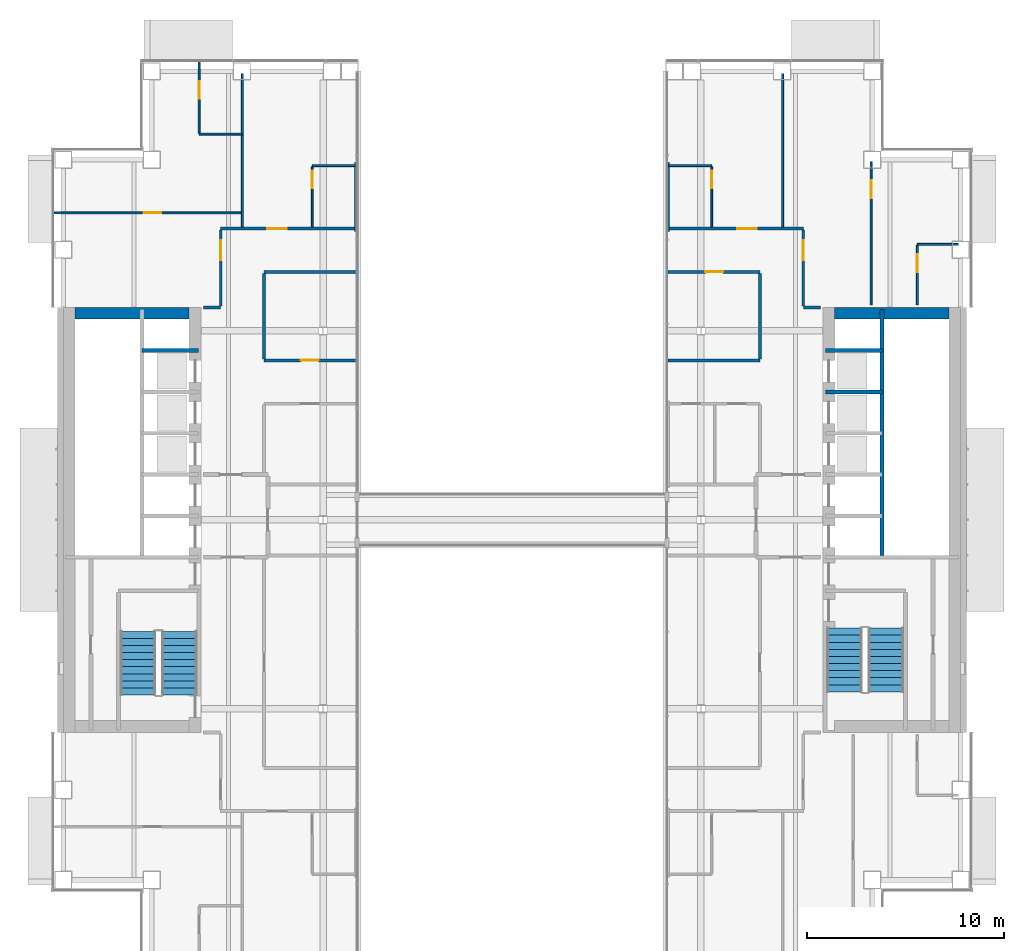
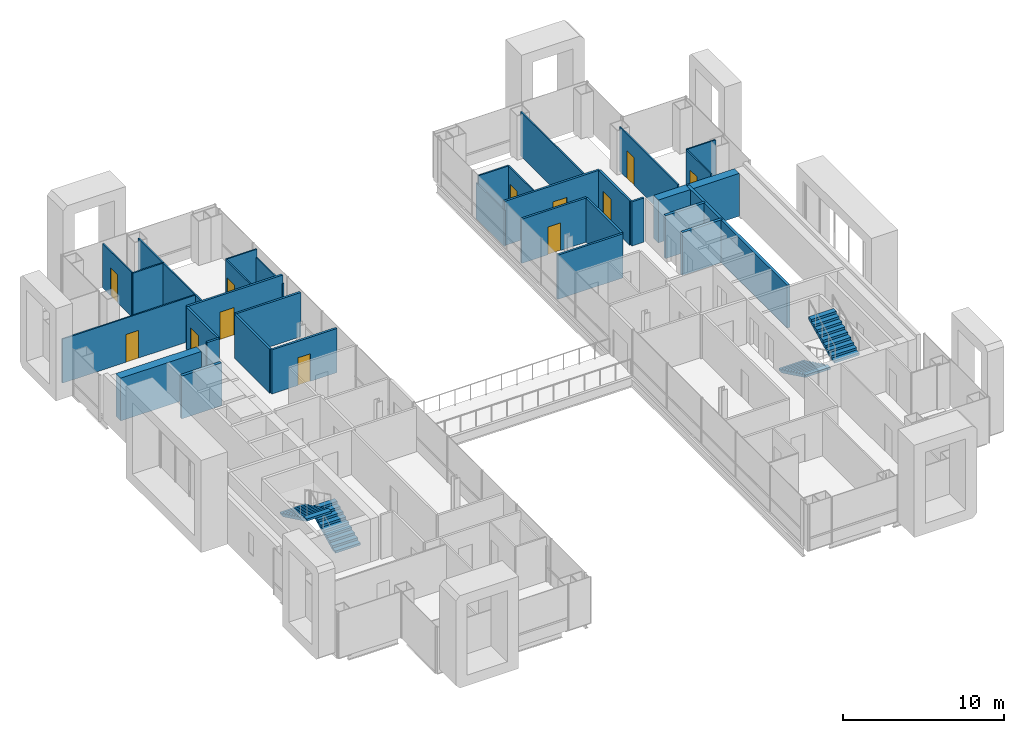
# One storey, part 14 of 20: 32 walls, 12 doors, 4 stair flights, 12 openings, 2 elements without a shape of their own.
"""IFC4 building model written with IfcOpenShell, lengths in metres."""

from ifc_helpers import new_model, si_unit, direction, frame, frame_2d, origin, place, context, subcontext, project, spatial, polyline, rectangle, outline, extrude, material, layer, layer_set, type_object, element, fill, aggregate, save


model = new_model("IFC4")

# Units and contexts
model_context = context("Model", 3, precision=1e-05, world=origin(), true_north=direction((0.0, 1.0)))
body_context = subcontext(model_context, "Body", "Model", "MODEL_VIEW")
ifc_project = project(units=[si_unit("LENGTHUNIT", "METRE"), si_unit("AREAUNIT", "SQUARE_METRE"), si_unit("VOLUMEUNIT", "CUBIC_METRE"), si_unit("PLANEANGLEUNIT", "RADIAN"), si_unit("MASSUNIT", "GRAM", prefix="KILO")], contexts=[model_context])

# Site, building, storey
site_placement = place(None, origin())
site = spatial("IfcSite", under=ifc_project, at=site_placement, CompositionType="ELEMENT")
building_placement = place(site_placement, origin())
building = spatial("IfcBuilding", under=site, at=building_placement, Name="Cobrizo Arcos Hotel Tower", CompositionType="ELEMENT")
storey_placement = place(building_placement, frame((0.0, 0.0, 124.0)))
storey = spatial("IfcBuildingStorey", under=building, at=storey_placement, Name="L31", CompositionType="ELEMENT", Elevation=124.0)

# Wall, opening, door
ifc_material_1 = material(Name="Gypsum board partition")
ifc_layer_1 = layer(ifc_material_1, 0.14990234375)
ifc_layer_set_1 = layer_set([ifc_layer_1], Name="Corridor wall EI 60 150")
wall_type_1 = type_object("IfcWallType", Name="Corridor wall EI 60 150", PredefinedType="PARTITIONING", material=ifc_layer_set_1)
wall_1_placement = place(storey_placement, frame((-12.60009765625, 8.10009765625, 0.0), z_axis=(0.0, 0.0, 1.0), x_axis=(1.0, 0.0, 0.0)))
wall_1 = element("IfcWall", 1, at=wall_1_placement, inside=storey, type_object=wall_type_1, Name="Partition 034", PredefinedType="PARTITIONING", context=body_context, shape_type="SweptSolid", body=[
    extrude(rectangle(XDim=4.68017578125, YDim=0.14990234375, at=frame_2d((2.340087890625, 0.0))), origin(), (0.0, 0.0, 1.0), 3.35009765625),
])
opening_1_placement = place(wall_1_placement, frame((1.875, 0.0, 0.0)))
opening_1 = element("IfcOpeningElement", 2, at=opening_1_placement, cuts=wall_1, Name="Opening RD-08", PredefinedType="OPENING", context=body_context, shape_type="SweptSolid", body=[
    extrude(rectangle(XDim=0.89990234375, YDim=2.10009765625, at=frame_2d((0.449951171875, 1.050048828125))), frame((0.0, 0.0869140625, 0.0), z_axis=(0.0, -1.0, 0.0), x_axis=(1.0, 0.0, 0.0)), (0.0, 0.0, 1.0), 0.173828125),
])
ifc_material_2 = material(Name="Timber door leaf", Category="wood")
door_type_1 = type_object("IfcDoorType", Name="Room door FD30 900x2100", OperationType="SINGLE_SWING_LEFT", PredefinedType="DOOR", material=ifc_material_2)
door_1_placement = place(opening_1_placement, origin())
door_1 = element("IfcDoor", 3, at=door_1_placement, inside=storey, type_object=door_type_1, Name="Door RD-08", OperationType="SINGLE_SWING_RIGHT", OverallHeight=2.10009765625, OverallWidth=0.89990234375, PredefinedType="DOOR", context=body_context, shape_type="SweptSolid", body=[
    extrude(rectangle(XDim=0.89990234375, YDim=2.10009765625, at=frame_2d((0.449951171875, 1.050048828125))), frame((0.0, 0.02490234375, 0.0), z_axis=(0.0, -1.0, 0.0), x_axis=(1.0, 0.0, 0.0)), (0.0, 0.0, 1.0), 0.050048828125),
])
fill(opening_1, door_1)

# Walls
wall_2_placement = place(storey_placement, frame((7.919921875, 8.10009765625, 0.0), z_axis=(0.0, 0.0, 1.0), x_axis=(1.0, 0.0, 0.0)))
element("IfcWall", 4, at=wall_2_placement, inside=storey, type_object=wall_type_1, Name="Partition 035", PredefinedType="PARTITIONING", context=body_context, shape_type="SweptSolid", body=[
    extrude(rectangle(XDim=4.68017578125, YDim=0.14990234375, at=frame_2d((2.340087890625, 0.0))), origin(), (0.0, 0.0, 1.0), 3.35009765625),
])
for number, where, z_axis, x_axis, name in (
    (5, (-15.679931640625, 10.800048828125, 0.0), (0.0, 0.0, 1.0), (1.0, 0.0, 0.0), "Partition 038"),
    (6, (14.800048828125, 10.800048828125, 0.0), (0.0, 0.0, 1.0), (1.0, 0.0, 0.0), "Partition 039"),
):
    element("IfcWall", number, at=place(storey_placement, frame(where, z_axis=z_axis, x_axis=x_axis)), inside=storey, type_object=wall_type_1, Name=name, PredefinedType="PARTITIONING", context=body_context, shape_type="SweptSolid", body=[
        extrude(rectangle(XDim=0.8798828125, YDim=0.14990234375, at=frame_2d((0.43994140625, 0.0))), origin(), (0.0, 0.0, 1.0), 3.35009765625),
    ])
wall_3_placement = place(storey_placement, frame((-12.60009765625, 12.60009765625, 0.0), z_axis=(0.0, 0.0, 1.0), x_axis=(1.0, 0.0, 0.0)))
element("IfcWall", 7, at=wall_3_placement, inside=storey, type_object=wall_type_1, Name="Partition 040", PredefinedType="PARTITIONING", context=body_context, shape_type="SweptSolid", body=[
    extrude(rectangle(XDim=4.68017578125, YDim=0.14990234375, at=frame_2d((2.340087890625, 0.0))), origin(), (0.0, 0.0, 1.0), 3.35009765625),
])

# Wall, opening, door
wall_4_placement = place(storey_placement, frame((7.919921875, 12.60009765625, 0.0), z_axis=(0.0, 0.0, 1.0), x_axis=(1.0, 0.0, 0.0)))
wall_4 = element("IfcWall", 8, at=wall_4_placement, inside=storey, type_object=wall_type_1, Name="Partition 041", PredefinedType="PARTITIONING", context=body_context, shape_type="SweptSolid", body=[
    extrude(rectangle(XDim=4.68017578125, YDim=0.14990234375, at=frame_2d((2.340087890625, 0.0))), origin(), (0.0, 0.0, 1.0), 3.35009765625),
])
opening_2_placement = place(wall_4_placement, frame((1.905029296875, 0.0, 0.0)))
opening_2 = element("IfcOpeningElement", 9, at=opening_2_placement, cuts=wall_4, Name="Opening RD-07", PredefinedType="OPENING", context=body_context, shape_type="SweptSolid", body=[
    extrude(rectangle(XDim=0.89990234375, YDim=2.10009765625, at=frame_2d((0.449951171875, 1.050048828125))), frame((0.0, 0.0869140625, 0.0), z_axis=(0.0, -1.0, 0.0), x_axis=(1.0, 0.0, 0.0)), (0.0, 0.0, 1.0), 0.173828125),
])
door_2_placement = place(opening_2_placement, origin())
door_2 = element("IfcDoor", 10, at=door_2_placement, inside=storey, type_object=door_type_1, Name="Door RD-07", OperationType="SINGLE_SWING_RIGHT", OverallHeight=2.10009765625, OverallWidth=0.89990234375, PredefinedType="DOOR", context=body_context, shape_type="SweptSolid", body=[
    extrude(rectangle(XDim=0.89990234375, YDim=2.10009765625, at=frame_2d((0.449951171875, 1.050048828125))), frame((0.0, 0.02490234375, 0.0), z_axis=(0.0, -1.0, 0.0), x_axis=(1.0, 0.0, 0.0)), (0.0, 0.0, 1.0), 0.050048828125),
])
fill(opening_2, door_2)

wall_5_placement = place(storey_placement, frame((-14.800048828125, 14.800048828125, 0.0), z_axis=(0.0, 0.0, 1.0), x_axis=(1.0, 0.0, 0.0)))
wall_5 = element("IfcWall", 11, at=wall_5_placement, inside=storey, type_object=wall_type_1, Name="Partition 043", PredefinedType="PARTITIONING", context=body_context, shape_type="SweptSolid", body=[
    extrude(rectangle(XDim=6.85009765625, YDim=0.14990234375, at=frame_2d((3.425048828125, 0.0))), origin(), (0.0, 0.0, 1.0), 3.35009765625),
])
opening_3_placement = place(wall_5_placement, frame((2.363037109375, 0.0, 0.0)))
opening_3 = element("IfcOpeningElement", 12, at=opening_3_placement, cuts=wall_5, Name="Opening GD-02", PredefinedType="OPENING", context=body_context, shape_type="SweptSolid", body=[
    extrude(rectangle(XDim=1.0, YDim=2.10009765625, at=frame_2d((0.5, 1.050048828125))), frame((0.0, 0.0869140625, 0.0), z_axis=(0.0, -1.0, 0.0), x_axis=(1.0, 0.0, 0.0)), (0.0, 0.0, 1.0), 0.173828125),
])
door_type_2 = type_object("IfcDoorType", Name="Guest room door FD30S 1000x2100", OperationType="SINGLE_SWING_LEFT", PredefinedType="DOOR", material=ifc_material_2)
door_3_placement = place(opening_3_placement, origin())
door_3 = element("IfcDoor", 13, at=door_3_placement, inside=storey, type_object=door_type_2, Name="Door GD-02", OperationType="SINGLE_SWING_RIGHT", OverallHeight=2.10009765625, OverallWidth=1.0, PredefinedType="DOOR", context=body_context, shape_type="SweptSolid", body=[
    extrude(rectangle(XDim=1.0, YDim=2.10009765625, at=frame_2d((0.5, 1.050048828125))), frame((0.0, 0.02490234375, 0.0), z_axis=(0.0, -1.0, 0.0), x_axis=(1.0, 0.0, 0.0)), (0.0, 0.0, 1.0), 0.050048828125),
])
fill(opening_3, door_3)

wall_6_placement = place(storey_placement, frame((7.949951171875, 14.800048828125, 0.0), z_axis=(0.0, 0.0, 1.0), x_axis=(1.0, 0.0, 0.0)))
wall_6 = element("IfcWall", 14, at=wall_6_placement, inside=storey, type_object=wall_type_1, Name="Partition 044", PredefinedType="PARTITIONING", context=body_context, shape_type="SweptSolid", body=[
    extrude(rectangle(XDim=6.85009765625, YDim=0.14990234375, at=frame_2d((3.425048828125, 0.0))), origin(), (0.0, 0.0, 1.0), 3.35009765625),
])
opening_4_placement = place(wall_6_placement, frame((3.487060546875, 0.0, 0.0)))
opening_4 = element("IfcOpeningElement", 15, at=opening_4_placement, cuts=wall_6, Name="Opening GD-01", PredefinedType="OPENING", context=body_context, shape_type="SweptSolid", body=[
    extrude(rectangle(XDim=1.0, YDim=2.10009765625, at=frame_2d((0.5, 1.050048828125))), frame((0.0, 0.0869140625, 0.0), z_axis=(0.0, -1.0, 0.0), x_axis=(1.0, 0.0, 0.0)), (0.0, 0.0, 1.0), 0.173828125),
])
door_4_placement = place(opening_4_placement, origin())
door_4 = element("IfcDoor", 16, at=door_4_placement, inside=storey, type_object=door_type_2, Name="Door GD-01", OperationType="SINGLE_SWING_RIGHT", OverallHeight=2.10009765625, OverallWidth=1.0, PredefinedType="DOOR", context=body_context, shape_type="SweptSolid", body=[
    extrude(rectangle(XDim=1.0, YDim=2.10009765625, at=frame_2d((0.5, 1.050048828125))), frame((0.0, 0.02490234375, 0.0), z_axis=(0.0, -1.0, 0.0), x_axis=(1.0, 0.0, 0.0)), (0.0, 0.0, 1.0), 0.050048828125),
])
fill(opening_4, door_4)

wall_7_placement = place(storey_placement, frame((-14.800048828125, 10.875, 0.0), z_axis=(0.0, 0.0, 1.0), x_axis=(0.0, 1.0, 0.0)))
wall_7 = element("IfcWall", 17, at=wall_7_placement, inside=storey, type_object=wall_type_1, Name="Partition 055", PredefinedType="PARTITIONING", context=body_context, shape_type="SweptSolid", body=[
    extrude(rectangle(XDim=3.85009765625, YDim=0.14990234375, at=frame_2d((1.925048828125, 0.0))), origin(), (0.0, 0.0, 1.0), 3.35009765625),
])
opening_5_placement = place(wall_7_placement, frame((2.324951171875, 0.0, 0.0)))
opening_5 = element("IfcOpeningElement", 18, at=opening_5_placement, cuts=wall_7, Name="Opening GD-06", PredefinedType="OPENING", context=body_context, shape_type="SweptSolid", body=[
    extrude(rectangle(XDim=1.0, YDim=2.10009765625, at=frame_2d((0.5, 1.050048828125))), frame((0.0, 0.0869140625, 0.0), z_axis=(0.0, -1.0, 0.0), x_axis=(1.0, 0.0, 0.0)), (0.0, 0.0, 1.0), 0.173828125),
])
door_5_placement = place(opening_5_placement, origin())
door_5 = element("IfcDoor", 19, at=door_5_placement, inside=storey, type_object=door_type_2, Name="Door GD-06", OperationType="SINGLE_SWING_LEFT", OverallHeight=2.10009765625, OverallWidth=1.0, PredefinedType="DOOR", context=body_context, shape_type="SweptSolid", body=[
    extrude(rectangle(XDim=1.0, YDim=2.10009765625, at=frame_2d((0.5, 1.050048828125))), frame((0.0, 0.02490234375, 0.0), z_axis=(0.0, -1.0, 0.0), x_axis=(1.0, 0.0, 0.0)), (0.0, 0.0, 1.0), 0.050048828125),
])
fill(opening_5, door_5)

# Walls
for number, where, z_axis, x_axis, name in (
    (20, (-12.60009765625, 8.175048828125, 0.0), (0.0, 0.0, 1.0), (0.0, 1.0, 0.0), "Partition 060"),
    (21, (12.60009765625, 8.175048828125, 0.0), (0.0, 0.0, 1.0), (0.0, 1.0, 0.0), "Partition 075"),
):
    element("IfcWall", number, at=place(storey_placement, frame(where, z_axis=z_axis, x_axis=x_axis)), inside=storey, type_object=wall_type_1, Name=name, PredefinedType="PARTITIONING", context=body_context, shape_type="SweptSolid", body=[
        extrude(rectangle(XDim=4.349853515625, YDim=0.14990234375, at=frame_2d((2.1748046875, 0.0))), origin(), (0.0, 0.0, 1.0), 3.35009765625),
    ])

# Wall, opening, door
wall_8_placement = place(storey_placement, frame((14.800048828125, 10.875, 0.0), z_axis=(0.0, 0.0, 1.0), x_axis=(0.0, 1.0, 0.0)))
wall_8 = element("IfcWall", 22, at=wall_8_placement, inside=storey, type_object=wall_type_1, Name="Partition 079", PredefinedType="PARTITIONING", context=body_context, shape_type="SweptSolid", body=[
    extrude(rectangle(XDim=3.85009765625, YDim=0.14990234375, at=frame_2d((1.925048828125, 0.0))), origin(), (0.0, 0.0, 1.0), 3.35009765625),
])
opening_6_placement = place(wall_8_placement, frame((2.324951171875, 0.0, 0.0)))
opening_6 = element("IfcOpeningElement", 23, at=opening_6_placement, cuts=wall_8, Name="Opening GD-08", PredefinedType="OPENING", context=body_context, shape_type="SweptSolid", body=[
    extrude(rectangle(XDim=1.0, YDim=2.10009765625, at=frame_2d((0.5, 1.050048828125))), frame((0.0, 0.0869140625, 0.0), z_axis=(0.0, -1.0, 0.0), x_axis=(1.0, 0.0, 0.0)), (0.0, 0.0, 1.0), 0.173828125),
])
door_6_placement = place(opening_6_placement, origin())
door_6 = element("IfcDoor", 24, at=door_6_placement, inside=storey, type_object=door_type_2, Name="Door GD-08", OperationType="SINGLE_SWING_RIGHT", OverallHeight=2.10009765625, OverallWidth=1.0, PredefinedType="DOOR", context=body_context, shape_type="SweptSolid", body=[
    extrude(rectangle(XDim=1.0, YDim=2.10009765625, at=frame_2d((0.5, 1.050048828125))), frame((0.0, 0.02490234375, 0.0), z_axis=(0.0, -1.0, 0.0), x_axis=(1.0, 0.0, 0.0)), (0.0, 0.0, 1.0), 0.050048828125),
])
fill(opening_6, door_6)

# Wall
ifc_layer_2 = layer(ifc_material_1, 0.10009765625)
ifc_layer_set_2 = layer_set([ifc_layer_2], Name="Partition EI 30 100")
wall_type_2 = type_object("IfcWallType", Name="Partition EI 30 100", PredefinedType="PARTITIONING", material=ifc_layer_set_2)
wall_9_placement = place(storey_placement, frame((20.60009765625, 14.0, 0.0), z_axis=(0.0, 0.0, 1.0), x_axis=(1.0, 0.0, 0.0)))
element("IfcWall", 25, at=wall_9_placement, inside=storey, type_object=wall_type_2, Name="Partition 042", PredefinedType="PARTITIONING", context=body_context, shape_type="SweptSolid", body=[
    extrude(rectangle(XDim=2.079833984375, YDim=0.10009765625, at=frame_2d((1.0400390625, 0.0))), origin(), (0.0, 0.0, 1.0), 3.35009765625),
])

# Wall, opening, door
wall_10_placement = place(storey_placement, frame((-23.280029296875, 15.60009765625, 0.0), z_axis=(0.0, 0.0, 1.0), x_axis=(1.0, 0.0, 0.0)))
wall_10 = element("IfcWall", 26, at=wall_10_placement, inside=storey, type_object=wall_type_2, Name="Partition 045", PredefinedType="PARTITIONING", context=body_context, shape_type="SweptSolid", body=[
    extrude(rectangle(XDim=9.580078125, YDim=0.10009765625, at=frame_2d((4.7900390625, 0.0))), origin(), (0.0, 0.0, 1.0), 3.35009765625),
])
opening_7_placement = place(wall_10_placement, frame((4.568115234375, 0.0, 0.0)))
opening_7 = element("IfcOpeningElement", 27, at=opening_7_placement, cuts=wall_10, Name="Opening RD-03", PredefinedType="OPENING", context=body_context, shape_type="SweptSolid", body=[
    extrude(rectangle(XDim=0.89990234375, YDim=2.10009765625, at=frame_2d((0.449951171875, 1.050048828125))), frame((0.0, 0.06201171875, 0.0), z_axis=(0.0, -1.0, 0.0), x_axis=(1.0, 0.0, 0.0)), (0.0, 0.0, 1.0), 0.1240234375),
])
door_7_placement = place(opening_7_placement, origin())
door_7 = element("IfcDoor", 28, at=door_7_placement, inside=storey, type_object=door_type_1, Name="Door RD-03", OperationType="SINGLE_SWING_RIGHT", OverallHeight=2.10009765625, OverallWidth=0.89990234375, PredefinedType="DOOR", context=body_context, shape_type="SweptSolid", body=[
    extrude(rectangle(XDim=0.89990234375, YDim=2.10009765625, at=frame_2d((0.449951171875, 1.050048828125))), frame((0.0, 0.02490234375, 0.0), z_axis=(0.0, -1.0, 0.0), x_axis=(1.0, 0.0, 0.0)), (0.0, 0.0, 1.0), 0.050048828125),
])
fill(opening_7, door_7)

# Walls
for number, where, z_axis, x_axis, name in (
    (29, (-10.14990234375, 18.0, 0.0), (0.0, 0.0, 1.0), (1.0, 0.0, 0.0), "Partition 046"),
    (30, (7.949951171875, 18.0, 0.0), (0.0, 0.0, 1.0), (1.0, 0.0, 0.0), "Partition 047"),
    (31, (-15.89990234375, 19.60009765625, 0.0), (0.0, 0.0, 1.0), (1.0, 0.0, 0.0), "Partition 048"),
):
    element("IfcWall", number, at=place(storey_placement, frame(where, z_axis=z_axis, x_axis=x_axis)), inside=storey, type_object=wall_type_2, Name=name, PredefinedType="PARTITIONING", context=body_context, shape_type="SweptSolid", body=[
        extrude(rectangle(XDim=2.199951171875, YDim=0.10009765625, at=frame_2d((1.10009765625, 0.0))), origin(), (0.0, 0.0, 1.0), 3.35009765625),
    ])

# Wall, opening, door
wall_11_placement = place(storey_placement, frame((-15.89990234375, 19.64990234375, 0.0), z_axis=(0.0, 0.0, 1.0), x_axis=(0.0, 1.0, 0.0)))
wall_11 = element("IfcWall", 32, at=wall_11_placement, inside=storey, type_object=wall_type_2, Name="Partition 053", PredefinedType="PARTITIONING", context=body_context, shape_type="SweptSolid", body=[
    extrude(rectangle(XDim=3.630126953125, YDim=0.10009765625, at=frame_2d((1.81494140625, 0.0))), origin(), (0.0, 0.0, 1.0), 3.35009765625),
])
opening_8_placement = place(wall_11_placement, frame((1.739990234375, 0.0, 0.0)))
opening_8 = element("IfcOpeningElement", 33, at=opening_8_placement, cuts=wall_11, Name="Opening ED-07", PredefinedType="OPENING", context=body_context, shape_type="SweptSolid", body=[
    extrude(rectangle(XDim=0.89990234375, YDim=2.10009765625, at=frame_2d((0.449951171875, 1.050048828125))), frame((0.0, 0.06201171875, 0.0), z_axis=(0.0, -1.0, 0.0), x_axis=(1.0, 0.0, 0.0)), (0.0, 0.0, 1.0), 0.1240234375),
])
door_type_3 = type_object("IfcDoorType", Name="En-suite door 900x2100", OperationType="SINGLE_SWING_LEFT", PredefinedType="DOOR", material=ifc_material_2)
door_8_placement = place(opening_8_placement, origin())
door_8 = element("IfcDoor", 34, at=door_8_placement, inside=storey, type_object=door_type_3, Name="Door ED-07", OperationType="SINGLE_SWING_RIGHT", OverallHeight=2.10009765625, OverallWidth=0.89990234375, PredefinedType="DOOR", context=body_context, shape_type="SweptSolid", body=[
    extrude(rectangle(XDim=0.89990234375, YDim=2.10009765625, at=frame_2d((0.449951171875, 1.050048828125))), frame((0.0, 0.02490234375, 0.0), z_axis=(0.0, -1.0, 0.0), x_axis=(1.0, 0.0, 0.0)), (0.0, 0.0, 1.0), 0.050048828125),
])
fill(opening_8, door_8)

# Wall
wall_12_placement = place(storey_placement, frame((-13.699951171875, 14.875, 0.0), z_axis=(0.0, 0.0, 1.0), x_axis=(0.0, 1.0, 0.0)))
element("IfcWall", 35, at=wall_12_placement, inside=storey, type_object=wall_type_2, Name="Partition 057", PredefinedType="PARTITIONING", context=body_context, shape_type="SweptSolid", body=[
    extrude(rectangle(XDim=7.804931640625, YDim=0.10009765625, at=frame_2d((3.90234375, 0.0))), origin(), (0.0, 0.0, 1.0), 3.35009765625),
])

# Wall, opening, door
wall_13_placement = place(storey_placement, frame((-10.14990234375, 14.875, 0.0), z_axis=(0.0, 0.0, 1.0), x_axis=(0.0, 1.0, 0.0)))
wall_13 = element("IfcWall", 36, at=wall_13_placement, inside=storey, type_object=wall_type_2, Name="Partition 063", PredefinedType="PARTITIONING", context=body_context, shape_type="SweptSolid", body=[
    extrude(rectangle(XDim=3.074951171875, YDim=0.10009765625, at=frame_2d((1.53759765625, 0.0))), origin(), (0.0, 0.0, 1.0), 3.35009765625),
])
opening_9_placement = place(wall_13_placement, frame((1.970947265625, 0.0, 0.0)))
opening_9 = element("IfcOpeningElement", 37, at=opening_9_placement, cuts=wall_13, Name="Opening ED-03", PredefinedType="OPENING", context=body_context, shape_type="SweptSolid", body=[
    extrude(rectangle(XDim=0.89990234375, YDim=2.10009765625, at=frame_2d((0.449951171875, 1.050048828125))), frame((0.0, 0.06201171875, 0.0), z_axis=(0.0, -1.0, 0.0), x_axis=(1.0, 0.0, 0.0)), (0.0, 0.0, 1.0), 0.1240234375),
])
door_9_placement = place(opening_9_placement, origin())
door_9 = element("IfcDoor", 38, at=door_9_placement, inside=storey, type_object=door_type_3, Name="Door ED-03", OperationType="SINGLE_SWING_LEFT", OverallHeight=2.10009765625, OverallWidth=0.89990234375, PredefinedType="DOOR", context=body_context, shape_type="SweptSolid", body=[
    extrude(rectangle(XDim=0.89990234375, YDim=2.10009765625, at=frame_2d((0.449951171875, 1.050048828125))), frame((0.0, 0.02490234375, 0.0), z_axis=(0.0, -1.0, 0.0), x_axis=(1.0, 0.0, 0.0)), (0.0, 0.0, 1.0), 0.050048828125),
])
fill(opening_9, door_9)

# Walls
for number, where, z_axis, x_axis, name in (
    (39, (-7.949951171875, 14.659912109375, 0.0), (0.0, 0.0, 1.0), (0.0, 1.0, 0.0), "Partition 065"),
    (40, (7.949951171875, 14.659912109375, 0.0), (0.0, 0.0, 1.0), (0.0, 1.0, 0.0), "Partition 068"),
):
    element("IfcWall", number, at=place(storey_placement, frame(where, z_axis=z_axis, x_axis=x_axis)), inside=storey, type_object=wall_type_2, Name=name, PredefinedType="PARTITIONING", context=body_context, shape_type="SweptSolid", body=[
        extrude(rectangle(XDim=3.47998046875, YDim=0.10009765625, at=frame_2d((1.739990234375, 0.0))), origin(), (0.0, 0.0, 1.0), 2.73291015625),
    ])

# Wall, opening, door
wall_14_placement = place(storey_placement, frame((10.14990234375, 14.875, 0.0), z_axis=(0.0, 0.0, 1.0), x_axis=(0.0, 1.0, 0.0)))
wall_14 = element("IfcWall", 41, at=wall_14_placement, inside=storey, type_object=wall_type_2, Name="Partition 070", PredefinedType="PARTITIONING", context=body_context, shape_type="SweptSolid", body=[
    extrude(rectangle(XDim=3.074951171875, YDim=0.10009765625, at=frame_2d((1.53759765625, 0.0))), origin(), (0.0, 0.0, 1.0), 3.35009765625),
])
opening_10_placement = place(wall_14_placement, frame((1.970947265625, 0.0, 0.0)))
opening_10 = element("IfcOpeningElement", 42, at=opening_10_placement, cuts=wall_14, Name="Opening ED-02", PredefinedType="OPENING", context=body_context, shape_type="SweptSolid", body=[
    extrude(rectangle(XDim=0.89990234375, YDim=2.10009765625, at=frame_2d((0.449951171875, 1.050048828125))), frame((0.0, 0.06201171875, 0.0), z_axis=(0.0, -1.0, 0.0), x_axis=(1.0, 0.0, 0.0)), (0.0, 0.0, 1.0), 0.1240234375),
])
door_10_placement = place(opening_10_placement, origin())
door_10 = element("IfcDoor", 43, at=door_10_placement, inside=storey, type_object=door_type_3, Name="Door ED-02", OperationType="SINGLE_SWING_RIGHT", OverallHeight=2.10009765625, OverallWidth=0.89990234375, PredefinedType="DOOR", context=body_context, shape_type="SweptSolid", body=[
    extrude(rectangle(XDim=0.89990234375, YDim=2.10009765625, at=frame_2d((0.449951171875, 1.050048828125))), frame((0.0, 0.02490234375, 0.0), z_axis=(0.0, -1.0, 0.0), x_axis=(1.0, 0.0, 0.0)), (0.0, 0.0, 1.0), 0.050048828125),
])
fill(opening_10, door_10)

# Wall
wall_15_placement = place(storey_placement, frame((13.75, 14.875, 0.0), z_axis=(0.0, 0.0, 1.0), x_axis=(0.0, 1.0, 0.0)))
element("IfcWall", 44, at=wall_15_placement, inside=storey, type_object=wall_type_2, Name="Partition 077", PredefinedType="PARTITIONING", context=body_context, shape_type="SweptSolid", body=[
    extrude(rectangle(XDim=7.804931640625, YDim=0.10009765625, at=frame_2d((3.90234375, 0.0))), origin(), (0.0, 0.0, 1.0), 3.35009765625),
])

# Wall, opening, door
wall_16_placement = place(storey_placement, frame((18.25, 10.919921875, 0.0), z_axis=(0.0, 0.0, 1.0), x_axis=(0.0, 1.0, 0.0)))
wall_16 = element("IfcWall", 45, at=wall_16_placement, inside=storey, type_object=wall_type_2, Name="Partition 081", PredefinedType="PARTITIONING", context=body_context, shape_type="SweptSolid", body=[
    extrude(rectangle(XDim=7.27099609375, YDim=0.10009765625, at=frame_2d((3.635498046875, 0.0))), origin(), (0.0, 0.0, 1.0), 3.35009765625),
])
opening_11_placement = place(wall_16_placement, frame((5.429931640625, 0.0, 0.0)))
opening_11 = element("IfcOpeningElement", 46, at=opening_11_placement, cuts=wall_16, Name="Opening RD-05", PredefinedType="OPENING", context=body_context, shape_type="SweptSolid", body=[
    extrude(rectangle(XDim=0.89990234375, YDim=2.10009765625, at=frame_2d((0.449951171875, 1.050048828125))), frame((0.0, 0.06201171875, 0.0), z_axis=(0.0, -1.0, 0.0), x_axis=(1.0, 0.0, 0.0)), (0.0, 0.0, 1.0), 0.1240234375),
])
door_11_placement = place(opening_11_placement, origin())
door_11 = element("IfcDoor", 47, at=door_11_placement, inside=storey, type_object=door_type_1, Name="Door RD-05", OperationType="SINGLE_SWING_LEFT", OverallHeight=2.10009765625, OverallWidth=0.89990234375, PredefinedType="DOOR", context=body_context, shape_type="SweptSolid", body=[
    extrude(rectangle(XDim=0.89990234375, YDim=2.10009765625, at=frame_2d((0.449951171875, 1.050048828125))), frame((0.0, 0.02490234375, 0.0), z_axis=(0.0, -1.0, 0.0), x_axis=(1.0, 0.0, 0.0)), (0.0, 0.0, 1.0), 0.050048828125),
])
fill(opening_11, door_11)

wall_17_placement = place(storey_placement, frame((20.60009765625, 10.919921875, 0.0), z_axis=(0.0, 0.0, 1.0), x_axis=(0.0, 1.0, 0.0)))
wall_17 = element("IfcWall", 48, at=wall_17_placement, inside=storey, type_object=wall_type_2, Name="Partition 085", PredefinedType="PARTITIONING", context=body_context, shape_type="SweptSolid", body=[
    extrude(rectangle(XDim=3.030029296875, YDim=0.10009765625, at=frame_2d((1.51513671875, 0.0))), origin(), (0.0, 0.0, 1.0), 3.35009765625),
])
opening_12_placement = place(wall_17_placement, frame((1.669921875, 0.0, 0.0)))
opening_12 = element("IfcOpeningElement", 49, at=opening_12_placement, cuts=wall_17, Name="Opening ED-09", PredefinedType="OPENING", context=body_context, shape_type="SweptSolid", body=[
    extrude(rectangle(XDim=0.89990234375, YDim=2.10009765625, at=frame_2d((0.449951171875, 1.050048828125))), frame((0.0, 0.06201171875, 0.0), z_axis=(0.0, -1.0, 0.0), x_axis=(1.0, 0.0, 0.0)), (0.0, 0.0, 1.0), 0.1240234375),
])
door_12_placement = place(opening_12_placement, origin())
door_12 = element("IfcDoor", 50, at=door_12_placement, inside=storey, type_object=door_type_3, Name="Door ED-09", OperationType="SINGLE_SWING_LEFT", OverallHeight=2.10009765625, OverallWidth=0.89990234375, PredefinedType="DOOR", context=body_context, shape_type="SweptSolid", body=[
    extrude(rectangle(XDim=0.89990234375, YDim=2.10009765625, at=frame_2d((0.449951171875, 1.050048828125))), frame((0.0, 0.02490234375, 0.0), z_axis=(0.0, -1.0, 0.0), x_axis=(1.0, 0.0, 0.0)), (0.0, 0.0, 1.0), 0.050048828125),
])
fill(opening_12, door_12)

# Walls
ifc_material_3 = material(Name="Concrete f'c 50 MPa", Category="concrete")
ifc_layer_3 = layer(ifc_material_3, 0.60009765625)
ifc_layer_set_3 = layer_set([ifc_layer_3], Name="RC core wall 600 f'c 50")
wall_type_3 = type_object("IfcWallType", Name="RC core wall 600 f'c 50", PredefinedType="SHEAR", material=ifc_layer_set_3)
for number, where, z_axis, x_axis, name in (
    (51, (16.39990234375, 10.5, 0.0), (0.0, 0.0, 1.0), (1.0, 0.0, 0.0), "Core wall CW2, east core, north end, L31"),
    (52, (-22.199951171875, 10.5, 0.0), (0.0, 0.0, 1.0), (1.0, 0.0, 0.0), "Core wall CW2, west core, north end, L31"),
):
    element("IfcWall", number, at=place(storey_placement, frame(where, z_axis=z_axis, x_axis=x_axis)), inside=storey, type_object=wall_type_3, Name=name, PredefinedType="SHEAR", context=body_context, shape_type="SweptSolid", body=[
        extrude(rectangle(XDim=5.800048828125, YDim=0.60009765625, at=frame_2d((2.89990234375, 0.0))), origin(), (0.0, 0.0, 1.0), 3.25),
    ])
ifc_layer_4 = layer(ifc_material_1, 0.199951171875)
ifc_layer_set_4 = layer_set([ifc_layer_4], Name="Shaft wall EI 120 200")
wall_type_4 = type_object("IfcWallType", Name="Shaft wall EI 120 200", PredefinedType="PARTITIONING", material=ifc_layer_set_4)
for number, where, z_axis, x_axis, name in (
    (53, (15.919921875, 6.5, 0.0), (0.0, 0.0, 1.0), (1.0, 0.0, 0.0), "Partition 033"),
    (54, (-18.800048828125, 8.60009765625, 0.0), (0.0, 0.0, 1.0), (1.0, 0.0, 0.0), "Partition 036"),
    (55, (15.919921875, 8.60009765625, 0.0), (0.0, 0.0, 1.0), (1.0, 0.0, 0.0), "Partition 037"),
):
    element("IfcWall", number, at=place(storey_placement, frame(where, z_axis=z_axis, x_axis=x_axis)), inside=storey, type_object=wall_type_4, Name=name, PredefinedType="PARTITIONING", context=body_context, shape_type="SweptSolid", body=[
        extrude(rectangle(XDim=2.880126953125, YDim=0.199951171875, at=frame_2d((1.43994140625, 0.0))), origin(), (0.0, 0.0, 1.0), 3.25),
    ])
wall_18_placement = place(storey_placement, frame((18.800048828125, -1.800048828125, 0.0), z_axis=(0.0, 0.0, 1.0), x_axis=(0.0, 1.0, 0.0)))
element("IfcWall", 56, at=wall_18_placement, inside=storey, type_object=wall_type_4, Name="Partition 082", PredefinedType="PARTITIONING", context=body_context, shape_type="SweptSolid", body=[
    extrude(rectangle(XDim=12.47998046875, YDim=0.199951171875, at=frame_2d((6.239990234375, 0.0))), origin(), (0.0, 0.0, 1.0), 3.25),
])

# Stair, stair flights
ifc_material_4 = material(Name="Concrete f'c 40 MPa", Category="concrete")
stair_type = type_object("IfcStairType", Name="Exit stair", PredefinedType="HALF_TURN_STAIR", material=ifc_material_4)
stair_1_placement = place(storey_placement, origin())
stair_1 = element("IfcStair", 57, at=stair_1_placement, inside=storey, type_object=stair_type, Name="L31 Exit stair ST-W", PredefinedType="HALF_TURN_STAIR")
stair_flight_type = type_object("IfcStairFlightType", Name="Exit stair flight", PredefinedType="STRAIGHT", material=ifc_material_4)
stair_flight_1_placement = place(storey_placement, frame((-16.89990234375, -8.89990234375, 0.0), z_axis=(0.0, 0.0, 1.0), x_axis=(0.0, 1.0, 0.0)))
stair_flight_1 = element("IfcStairFlight", 58, at=stair_flight_1_placement, type_object=stair_flight_type, Name="ST-W flight 1", NumberOfRisers=10, NumberOfTreads=9, PredefinedType="STRAIGHT", RiserHeight=0.175, TreadLength=0.36, context=body_context, shape_type="SweptSolid", body=[
    extrude(outline(polyline([(0.0, 0.0), (0.0, 0.175048828125), (0.360107421875, 0.175048828125), (0.360107421875, 0.35009765625), (0.719970703125, 0.35009765625), (0.719970703125, 0.52490234375), (1.080078125, 0.52490234375), (1.080078125, 0.699951171875), (1.43994140625, 0.699951171875), (1.43994140625, 0.875), (1.800048828125, 0.875), (1.800048828125, 1.050048828125), (2.159912109375, 1.050048828125), (2.159912109375, 1.22509765625), (2.52001953125, 1.22509765625), (2.52001953125, 1.39990234375), (2.8798828125, 1.39990234375), (2.8798828125, 1.574951171875), (3.239990234375, 1.574951171875), (3.239990234375, 1.75), (3.239990234375, 1.408203125), (0.3427734375, 0.0), (0.0, 0.0)])), frame((0.0, 0.89990234375, 0.0), z_axis=(0.0, -1.0, 0.0), x_axis=(1.0, 0.0, 0.0)), (0.0, 0.0, 1.0), 1.800048828125),
])
stair_flight_2_placement = place(storey_placement, frame((-19.0, -5.659912109375, 1.75), z_axis=(0.0, 0.0, 1.0), x_axis=(0.0, -1.0, 0.0)))
stair_flight_2 = element("IfcStairFlight", 59, at=stair_flight_2_placement, type_object=stair_flight_type, Name="ST-W flight 2", NumberOfRisers=10, NumberOfTreads=9, PredefinedType="STRAIGHT", RiserHeight=0.175, TreadLength=0.36, context=body_context, shape_type="SweptSolid", body=[
    extrude(outline(polyline([(0.0, 0.0), (0.0, 0.175048828125), (0.360107421875, 0.175048828125), (0.360107421875, 0.35009765625), (0.719970703125, 0.35009765625), (0.719970703125, 0.52490234375), (1.080078125, 0.52490234375), (1.080078125, 0.699951171875), (1.43994140625, 0.699951171875), (1.43994140625, 0.875), (1.800048828125, 0.875), (1.800048828125, 1.050048828125), (2.159912109375, 1.050048828125), (2.159912109375, 1.22509765625), (2.52001953125, 1.22509765625), (2.52001953125, 1.39990234375), (2.8798828125, 1.39990234375), (2.8798828125, 1.574951171875), (3.239990234375, 1.574951171875), (3.239990234375, 1.75), (3.239990234375, 1.408203125), (0.3427734375, 0.0), (0.0, 0.0)])), frame((0.0, 0.89990234375, 0.0), z_axis=(0.0, -1.0, 0.0), x_axis=(1.0, 0.0, 0.0)), (0.0, 0.0, 1.0), 1.800048828125),
])
aggregate(stair_1, [stair_flight_1, stair_flight_2])

stair_2_placement = place(storey_placement, origin())
stair_2 = element("IfcStair", 60, at=stair_2_placement, inside=storey, type_object=stair_type, Name="L31 Exit stair ST-E", PredefinedType="HALF_TURN_STAIR")
stair_flight_3_placement = place(storey_placement, frame((16.89990234375, -5.5, 0.0), z_axis=(0.0, 0.0, 1.0), x_axis=(0.0, -1.0, 0.0)))
stair_flight_3 = element("IfcStairFlight", 61, at=stair_flight_3_placement, type_object=stair_flight_type, Name="ST-E flight 1", NumberOfRisers=10, NumberOfTreads=9, PredefinedType="STRAIGHT", RiserHeight=0.175, TreadLength=0.36, context=body_context, shape_type="SweptSolid", body=[
    extrude(outline(polyline([(0.0, 0.0), (0.0, 0.175048828125), (0.360107421875, 0.175048828125), (0.360107421875, 0.35009765625), (0.719970703125, 0.35009765625), (0.719970703125, 0.52490234375), (1.080078125, 0.52490234375), (1.080078125, 0.699951171875), (1.43994140625, 0.699951171875), (1.43994140625, 0.875), (1.800048828125, 0.875), (1.800048828125, 1.050048828125), (2.159912109375, 1.050048828125), (2.159912109375, 1.22509765625), (2.52001953125, 1.22509765625), (2.52001953125, 1.39990234375), (2.8798828125, 1.39990234375), (2.8798828125, 1.574951171875), (3.239990234375, 1.574951171875), (3.239990234375, 1.75), (3.239990234375, 1.408203125), (0.3427734375, 0.0), (0.0, 0.0)])), frame((0.0, 0.89990234375, 0.0), z_axis=(0.0, -1.0, 0.0), x_axis=(1.0, 0.0, 0.0)), (0.0, 0.0, 1.0), 1.800048828125),
])
stair_flight_4_placement = place(storey_placement, frame((19.0, -8.739990234375, 1.75), z_axis=(0.0, 0.0, 1.0), x_axis=(0.0, 1.0, 0.0)))
stair_flight_4 = element("IfcStairFlight", 62, at=stair_flight_4_placement, type_object=stair_flight_type, Name="ST-E flight 2", NumberOfRisers=10, NumberOfTreads=9, PredefinedType="STRAIGHT", RiserHeight=0.175, TreadLength=0.36, context=body_context, shape_type="SweptSolid", body=[
    extrude(outline(polyline([(0.0, 0.0), (0.0, 0.175048828125), (0.360107421875, 0.175048828125), (0.360107421875, 0.35009765625), (0.719970703125, 0.35009765625), (0.719970703125, 0.52490234375), (1.080078125, 0.52490234375), (1.080078125, 0.699951171875), (1.43994140625, 0.699951171875), (1.43994140625, 0.875), (1.800048828125, 0.875), (1.800048828125, 1.050048828125), (2.159912109375, 1.050048828125), (2.159912109375, 1.22509765625), (2.52001953125, 1.22509765625), (2.52001953125, 1.39990234375), (2.8798828125, 1.39990234375), (2.8798828125, 1.574951171875), (3.239990234375, 1.574951171875), (3.239990234375, 1.75), (3.239990234375, 1.408203125), (0.3427734375, 0.0), (0.0, 0.0)])), frame((0.0, 0.89990234375, 0.0), z_axis=(0.0, -1.0, 0.0), x_axis=(1.0, 0.0, 0.0)), (0.0, 0.0, 1.0), 1.800048828125),
])
aggregate(stair_2, [stair_flight_3, stair_flight_4])

save(model, "model.ifc")
